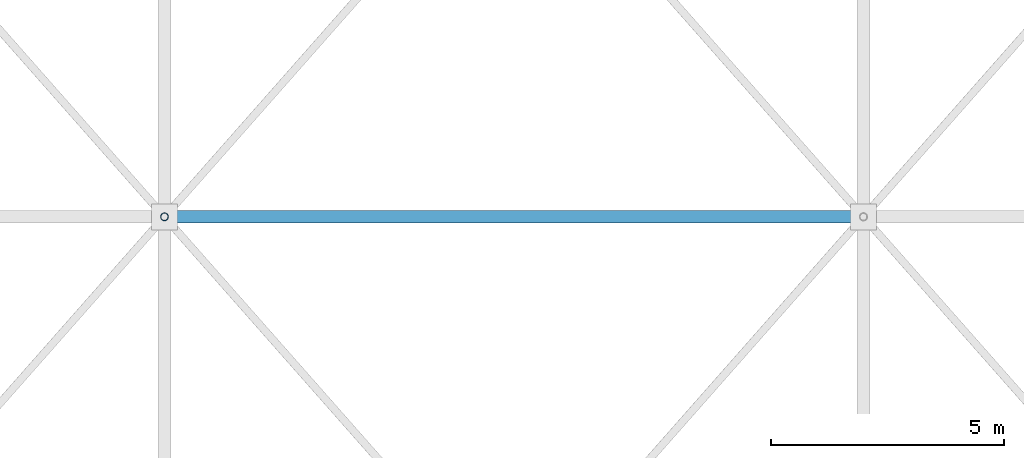
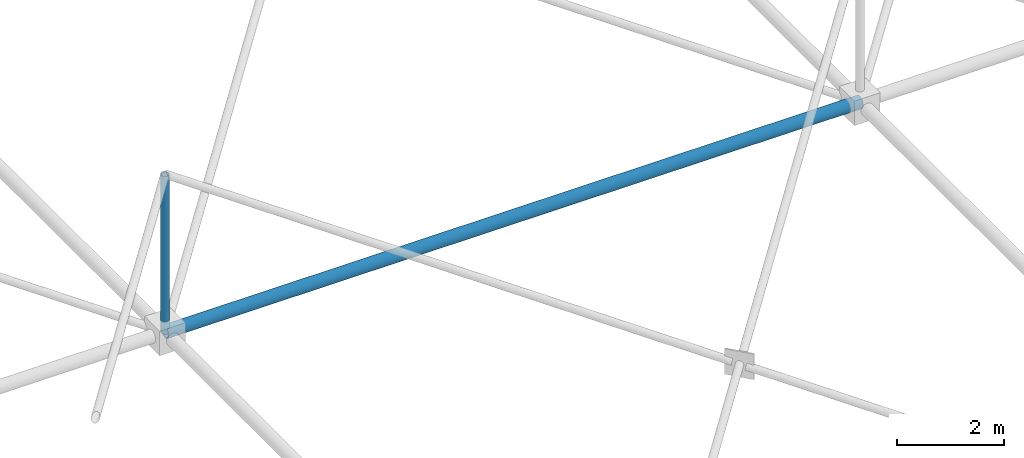
# One storey, part 95 of 224: 2 members.
"""IFC4 building model written with IfcOpenShell, lengths in metres."""

from ifc_helpers import new_model, si_unit, direction, frame, origin, origin_2d, place, context, subcontext, project, spatial, hollow_circle, extrude, material, material_profile, profile_set, type_object, element, save


model = new_model("IFC4")

# Units and contexts
model_context = context("Model", 3, precision=1e-05, world=origin(), true_north=direction((0.0, 1.0)))
body_context = subcontext(model_context, "Body", "Model", "MODEL_VIEW")
ifc_project = project(units=[si_unit("LENGTHUNIT", "METRE"), si_unit("AREAUNIT", "SQUARE_METRE"), si_unit("VOLUMEUNIT", "CUBIC_METRE"), si_unit("PLANEANGLEUNIT", "RADIAN"), si_unit("MASSUNIT", "GRAM", prefix="KILO")], contexts=[model_context])

# Site, building, storey
site_placement = place(None, origin())
site = spatial("IfcSite", under=ifc_project, at=site_placement, CompositionType="ELEMENT")
building_placement = place(site_placement, origin())
building = spatial("IfcBuilding", under=site, at=building_placement, Name="Qamarlyn Nura Convention Centre", CompositionType="ELEMENT")
storey_placement = place(building_placement, frame((0.0, 0.0, 10.800048828125)))
storey = spatial("IfcBuildingStorey", under=building, at=storey_placement, Name="L02", CompositionType="ELEMENT", Elevation=10.800048828125)

# Members
ifc_material = material(Name="Pearl-white PVDF steel ASTM A500 Grade C", Category="steel")
ifc_material_profile_1 = material_profile(ifc_material, hollow_circle(Radius=0.136474609375, WallThickness=0.012451171875, at=origin_2d()), Name="CHS273X12.5")
ifc_profile_set_1 = profile_set([ifc_material_profile_1], Name="Pearl-white PVDF steel ASTM A500 Grade C")
member_type_1 = type_object("IfcMemberType", Name="SF-BC-MAIN", PredefinedType="CHORD", material=ifc_profile_set_1)
member_1_placement = place(storey_placement, frame((60.0, 69.0, 0.800048828125), z_axis=(1.0, 0.0, 0.0), x_axis=(0.0, 1.0, 0.0)))
element("IfcMember", 1, at=member_1_placement, inside=storey, type_object=member_type_1, Name="ROOF TRUSS space frame bottom chord X6-5", PredefinedType="CHORD", context=body_context, shape_type="SweptSolid", body=[
    extrude(hollow_circle(Radius=0.136474609375, WallThickness=0.012451171875, at=origin_2d()), origin(), (0.0, 0.0, 1.0), 15.0),
])
ifc_material_profile_2 = material_profile(ifc_material, hollow_circle(Radius=0.084228515625, WallThickness=0.008056640625, at=origin_2d()), Name="CHS168.3X8")
ifc_profile_set_2 = profile_set([ifc_material_profile_2], Name="Pearl-white PVDF steel ASTM A500 Grade C")
member_type_2 = type_object("IfcMemberType", Name="SF-WEB-STD", PredefinedType="BRACE", material=ifc_profile_set_2)
member_2_placement = place(storey_placement, frame((60.0, 69.0, 0.800048828125), z_axis=(0.0, 0.0, 1.0), x_axis=(1.0, 0.0, 0.0)))
element("IfcMember", 2, at=member_2_placement, inside=storey, type_object=member_type_2, Name="ROOF TRUSS space frame vertical 6-5", PredefinedType="BRACE", context=body_context, shape_type="SweptSolid", body=[
    extrude(hollow_circle(Radius=0.084228515625, WallThickness=0.008056640625, at=origin_2d()), origin(), (0.0, 0.0, 1.0), 3.599853515625),
])

save(model, "model.ifc")
